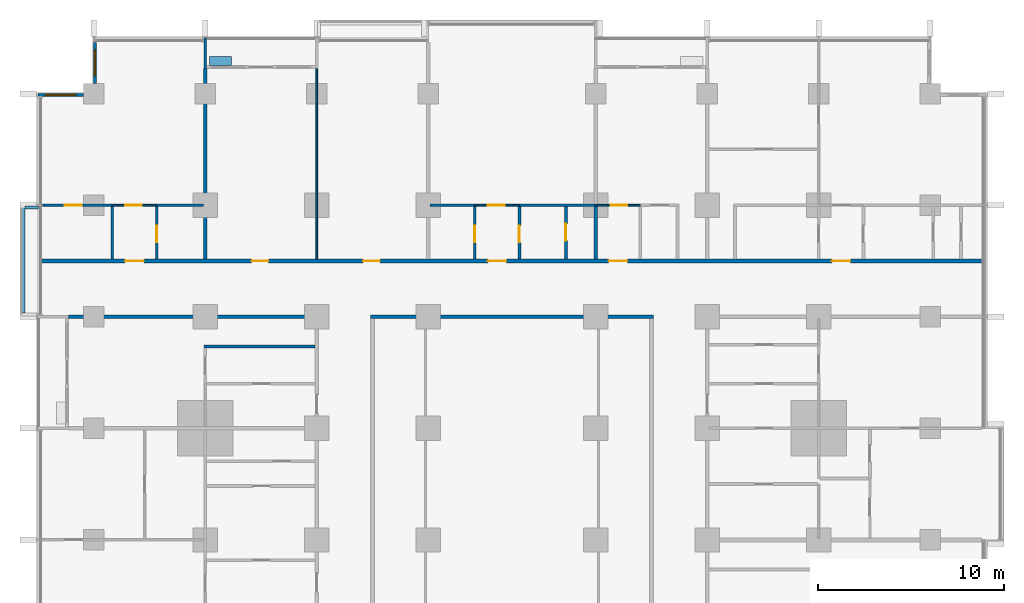
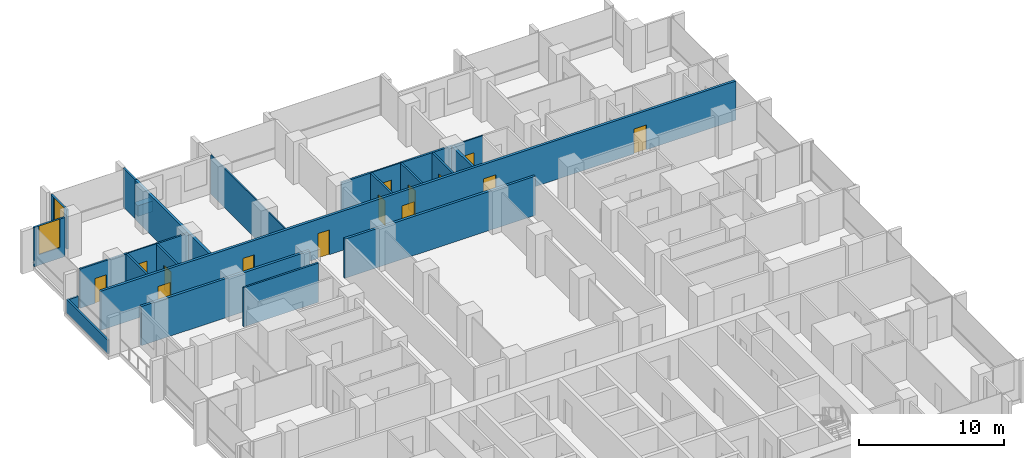
# One storey, part 11 of 18: 25 walls, 14 doors, 2 windows, 16 openings.
"""IFC4 building model written with IfcOpenShell, lengths in metres."""

from ifc_helpers import new_model, si_unit, direction, frame, frame_2d, origin, place, context, subcontext, project, spatial, rectangle, extrude, material, layer, layer_set, type_object, element, fill, save


model = new_model("IFC4")

# Units and contexts
model_context = context("Model", 3, precision=1e-05, world=origin(), true_north=direction((0.0, 1.0)))
body_context = subcontext(model_context, "Body", "Model", "MODEL_VIEW")
ifc_project = project(units=[si_unit("LENGTHUNIT", "METRE"), si_unit("AREAUNIT", "SQUARE_METRE"), si_unit("VOLUMEUNIT", "CUBIC_METRE"), si_unit("PLANEANGLEUNIT", "RADIAN"), si_unit("MASSUNIT", "GRAM", prefix="KILO")], contexts=[model_context])

# Site, building, storey
site_placement = place(None, origin())
site = spatial("IfcSite", under=ifc_project, at=site_placement, CompositionType="ELEMENT")
building_placement = place(site_placement, origin())
building = spatial("IfcBuilding", under=site, at=building_placement, Name="Finial Court Residences", CompositionType="ELEMENT")
storey_placement = place(building_placement, frame((0.0, 0.0, 39.699951171875)))
storey = spatial("IfcBuildingStorey", under=building, at=storey_placement, Name="L08", CompositionType="ELEMENT", Elevation=39.699951171875)

# Walls
ifc_material_1 = material(Name="Gypsum board")
ifc_layer_1 = layer(ifc_material_1, 0.02490234375)
ifc_material_2 = material(Name="Acoustic mineral wool in double frame")
ifc_layer_2 = layer(ifc_material_2, 0.14990234375)
ifc_layer_3 = layer(ifc_material_1, 0.02490234375)
ifc_layer_set_1 = layer_set([ifc_layer_1, ifc_layer_2, ifc_layer_3], Name="Acoustic party wall 200, 1 hour")
wall_type_1 = type_object("IfcWallType", Name="Acoustic party wall 200, 1 hour", PredefinedType="PARTITIONING", material=ifc_layer_set_1)
wall_1_placement = place(storey_placement, frame((4.5, 16.60009765625, 0.0), z_axis=(0.0, 0.0, 1.0), x_axis=(0.0, 1.0, 0.0)))
element("IfcWall", 1, at=wall_1_placement, inside=storey, type_object=wall_type_1, Name="Partition L08-069", PredefinedType="PARTITIONING", context=body_context, shape_type="SweptSolid", body=[
    extrude(rectangle(XDim=2.824951171875, YDim=0.199951171875, at=frame_2d((1.41259765625, 0.0))), origin(), (0.0, 0.0, 1.0), 3.300048828125),
])
ifc_layer_4 = layer(ifc_material_1, 0.02490234375)
ifc_layer_5 = layer(ifc_material_2, 0.14990234375)
ifc_layer_6 = layer(ifc_material_1, 0.02490234375)
ifc_layer_set_2 = layer_set([ifc_layer_4, ifc_layer_5, ifc_layer_6], Name="Corridor wall 200, 1 hour")
wall_type_2 = type_object("IfcWallType", Name="Corridor wall 200, 1 hour", PredefinedType="PARTITIONING", material=ifc_layer_set_2)
wall_2_placement = place(storey_placement, frame((-23.85009765625, 13.5, 0.0), z_axis=(0.0, 0.0, 1.0), x_axis=(1.0, 0.0, 0.0)))
element("IfcWall", 2, at=wall_2_placement, inside=storey, type_object=wall_type_2, Name="Partition L08-031", PredefinedType="PARTITIONING", context=body_context, shape_type="SweptSolid", body=[
    extrude(rectangle(XDim=13.4501953125, YDim=0.199951171875, at=frame_2d((6.72509765625, 0.0))), origin(), (0.0, 0.0, 1.0), 3.300048828125),
])
wall_3_placement = place(storey_placement, frame((-7.60009765625, 13.5, 0.0), z_axis=(0.0, 0.0, 1.0), x_axis=(1.0, 0.0, 0.0)))
element("IfcWall", 3, at=wall_3_placement, inside=storey, type_object=wall_type_2, Name="Partition L08-032", PredefinedType="PARTITIONING", context=body_context, shape_type="SweptSolid", body=[
    extrude(rectangle(XDim=15.2001953125, YDim=0.199951171875, at=frame_2d((7.60009765625, 0.0))), origin(), (0.0, 0.0, 1.0), 3.300048828125),
])

# Wall, openings, doors
wall_4_placement = place(storey_placement, frame((-25.35009765625, 16.5, 0.0), z_axis=(0.0, 0.0, 1.0), x_axis=(1.0, 0.0, 0.0)))
wall_4 = element("IfcWall", 4, at=wall_4_placement, inside=storey, type_object=wall_type_2, Name="Partition L08-034", PredefinedType="PARTITIONING", context=body_context, shape_type="SweptSolid", body=[
    extrude(rectangle(XDim=50.7001953125, YDim=0.199951171875, at=frame_2d((25.35009765625, 0.0))), origin(), (0.0, 0.0, 1.0), 3.300048828125),
])
opening_1_placement = place(wall_4_placement, frame((4.550048828125, 0.0, 0.0)))
opening_1 = element("IfcOpeningElement", 5, at=opening_1_placement, cuts=wall_4, Name="Opening L08-D022", PredefinedType="OPENING", context=body_context, shape_type="SweptSolid", body=[
    extrude(rectangle(XDim=1.0, YDim=2.10009765625, at=frame_2d((0.5, 1.050048828125))), frame((0.0, 0.10986328125, 0.0), z_axis=(0.0, -1.0, 0.0), x_axis=(1.0, 0.0, 0.0)), (0.0, 0.0, 1.0), 0.219970703125),
])
opening_2_placement = place(wall_4_placement, frame((11.35009765625, 0.0, 0.0)))
opening_2 = element("IfcOpeningElement", 6, at=opening_2_placement, cuts=wall_4, Name="Opening L08-D023", PredefinedType="OPENING", context=body_context, shape_type="SweptSolid", body=[
    extrude(rectangle(XDim=0.89990234375, YDim=2.10009765625, at=frame_2d((0.449951171875, 1.050048828125))), frame((0.0, 0.10986328125, 0.0), z_axis=(0.0, -1.0, 0.0), x_axis=(1.0, 0.0, 0.0)), (0.0, 0.0, 1.0), 0.219970703125),
])
opening_3_placement = place(wall_4_placement, frame((17.35009765625, 0.0, 0.0)))
opening_3 = element("IfcOpeningElement", 7, at=opening_3_placement, cuts=wall_4, Name="Opening L08-D024", PredefinedType="OPENING", context=body_context, shape_type="SweptSolid", body=[
    extrude(rectangle(XDim=0.89990234375, YDim=2.10009765625, at=frame_2d((0.449951171875, 1.050048828125))), frame((0.0, 0.10986328125, 0.0), z_axis=(0.0, -1.0, 0.0), x_axis=(1.0, 0.0, 0.0)), (0.0, 0.0, 1.0), 0.219970703125),
])
opening_4_placement = place(wall_4_placement, frame((24.050048828125, 0.0, 0.0)))
opening_4 = element("IfcOpeningElement", 8, at=opening_4_placement, cuts=wall_4, Name="Opening L08-D025", PredefinedType="OPENING", context=body_context, shape_type="SweptSolid", body=[
    extrude(rectangle(XDim=1.0, YDim=2.10009765625, at=frame_2d((0.5, 1.050048828125))), frame((0.0, 0.10986328125, 0.0), z_axis=(0.0, -1.0, 0.0), x_axis=(1.0, 0.0, 0.0)), (0.0, 0.0, 1.0), 0.219970703125),
])
opening_5_placement = place(wall_4_placement, frame((30.550048828125, 0.0, 0.0)))
opening_5 = element("IfcOpeningElement", 9, at=opening_5_placement, cuts=wall_4, Name="Opening L08-D026", PredefinedType="OPENING", context=body_context, shape_type="SweptSolid", body=[
    extrude(rectangle(XDim=1.0, YDim=2.10009765625, at=frame_2d((0.5, 1.050048828125))), frame((0.0, 0.10986328125, 0.0), z_axis=(0.0, -1.0, 0.0), x_axis=(1.0, 0.0, 0.0)), (0.0, 0.0, 1.0), 0.219970703125),
])
opening_6_placement = place(wall_4_placement, frame((42.550048828125, 0.0, 0.0)))
opening_6 = element("IfcOpeningElement", 10, at=opening_6_placement, cuts=wall_4, Name="Opening L08-D027", PredefinedType="OPENING", context=body_context, shape_type="SweptSolid", body=[
    extrude(rectangle(XDim=1.0, YDim=2.10009765625, at=frame_2d((0.5, 1.050048828125))), frame((0.0, 0.10986328125, 0.0), z_axis=(0.0, -1.0, 0.0), x_axis=(1.0, 0.0, 0.0)), (0.0, 0.0, 1.0), 0.219970703125),
])
ifc_material_3 = material(Name="Timber door leaf in hollow metal frame", Category="wood")
door_type_1 = type_object("IfcDoorType", Name="Fire door set 1000 x 2100, 30 minutes", OperationType="SINGLE_SWING_LEFT", PredefinedType="DOOR", material=ifc_material_3)
door_1_placement = place(opening_1_placement, origin())
door_1 = element("IfcDoor", 11, at=door_1_placement, inside=storey, type_object=door_type_1, Name="Door L08-D022", OperationType="SINGLE_SWING_RIGHT", OverallHeight=2.10009765625, OverallWidth=1.0, PredefinedType="DOOR", context=body_context, shape_type="SweptSolid", body=[
    extrude(rectangle(XDim=1.0, YDim=2.10009765625, at=frame_2d((0.5, 1.050048828125))), frame((0.0, 0.02490234375, 0.0), z_axis=(0.0, -1.0, 0.0), x_axis=(1.0, 0.0, 0.0)), (0.0, 0.0, 1.0), 0.050048828125),
])
fill(opening_1, door_1)
door_2_placement = place(opening_4_placement, origin())
door_2 = element("IfcDoor", 12, at=door_2_placement, inside=storey, type_object=door_type_1, Name="Door L08-D025", OperationType="SINGLE_SWING_RIGHT", OverallHeight=2.10009765625, OverallWidth=1.0, PredefinedType="DOOR", context=body_context, shape_type="SweptSolid", body=[
    extrude(rectangle(XDim=1.0, YDim=2.10009765625, at=frame_2d((0.5, 1.050048828125))), frame((0.0, 0.02490234375, 0.0), z_axis=(0.0, -1.0, 0.0), x_axis=(1.0, 0.0, 0.0)), (0.0, 0.0, 1.0), 0.050048828125),
])
fill(opening_4, door_2)
door_3_placement = place(opening_5_placement, origin())
door_3 = element("IfcDoor", 13, at=door_3_placement, inside=storey, type_object=door_type_1, Name="Door L08-D026", OperationType="SINGLE_SWING_LEFT", OverallHeight=2.10009765625, OverallWidth=1.0, PredefinedType="DOOR", context=body_context, shape_type="SweptSolid", body=[
    extrude(rectangle(XDim=1.0, YDim=2.10009765625, at=frame_2d((0.5, 1.050048828125))), frame((0.0, 0.02490234375, 0.0), z_axis=(0.0, -1.0, 0.0), x_axis=(1.0, 0.0, 0.0)), (0.0, 0.0, 1.0), 0.050048828125),
])
fill(opening_5, door_3)
door_4_placement = place(opening_6_placement, origin())
door_4 = element("IfcDoor", 14, at=door_4_placement, inside=storey, type_object=door_type_1, Name="Door L08-D027", OperationType="SINGLE_SWING_LEFT", OverallHeight=2.10009765625, OverallWidth=1.0, PredefinedType="DOOR", context=body_context, shape_type="SweptSolid", body=[
    extrude(rectangle(XDim=1.0, YDim=2.10009765625, at=frame_2d((0.5, 1.050048828125))), frame((0.0, 0.02490234375, 0.0), z_axis=(0.0, -1.0, 0.0), x_axis=(1.0, 0.0, 0.0)), (0.0, 0.0, 1.0), 0.050048828125),
])
fill(opening_6, door_4)
door_type_2 = type_object("IfcDoorType", Name="Fire door set 900 x 2100, 30 minutes", OperationType="SINGLE_SWING_LEFT", PredefinedType="DOOR", material=ifc_material_3)
door_5_placement = place(opening_2_placement, origin())
door_5 = element("IfcDoor", 15, at=door_5_placement, inside=storey, type_object=door_type_2, Name="Door L08-D023", OperationType="SINGLE_SWING_RIGHT", OverallHeight=2.10009765625, OverallWidth=0.89990234375, PredefinedType="DOOR", context=body_context, shape_type="SweptSolid", body=[
    extrude(rectangle(XDim=0.89990234375, YDim=2.10009765625, at=frame_2d((0.449951171875, 1.050048828125))), frame((0.0, 0.02490234375, 0.0), z_axis=(0.0, -1.0, 0.0), x_axis=(1.0, 0.0, 0.0)), (0.0, 0.0, 1.0), 0.050048828125),
])
fill(opening_2, door_5)
door_6_placement = place(opening_3_placement, origin())
door_6 = element("IfcDoor", 16, at=door_6_placement, inside=storey, type_object=door_type_2, Name="Door L08-D024", OperationType="SINGLE_SWING_RIGHT", OverallHeight=2.10009765625, OverallWidth=0.89990234375, PredefinedType="DOOR", context=body_context, shape_type="SweptSolid", body=[
    extrude(rectangle(XDim=0.89990234375, YDim=2.10009765625, at=frame_2d((0.449951171875, 1.050048828125))), frame((0.0, 0.02490234375, 0.0), z_axis=(0.0, -1.0, 0.0), x_axis=(1.0, 0.0, 0.0)), (0.0, 0.0, 1.0), 0.050048828125),
])
fill(opening_3, door_6)

# Wall
wall_5_placement = place(storey_placement, frame((-16.5, 16.60009765625, 0.0), z_axis=(0.0, 0.0, 1.0), x_axis=(0.0, 1.0, 0.0)))
element("IfcWall", 17, at=wall_5_placement, inside=storey, type_object=wall_type_2, Name="Partition L08-051", PredefinedType="PARTITIONING", context=body_context, shape_type="SweptSolid", body=[
    extrude(rectangle(XDim=10.25, YDim=0.199951171875, at=frame_2d((5.125, 0.0))), origin(), (0.0, 0.0, 1.0), 3.300048828125),
])

# Wall, opening, door
ifc_layer_7 = layer(ifc_material_1, 0.012451171875)
ifc_material_4 = material(Name="Mineral wool in light-gauge frame")
ifc_layer_8 = layer(ifc_material_4, 0.074951171875)
ifc_layer_9 = layer(ifc_material_1, 0.012451171875)
ifc_layer_set_3 = layer_set([ifc_layer_7, ifc_layer_8, ifc_layer_9], Name="Gypsum board partition 100")
wall_type_3 = type_object("IfcWallType", Name="Gypsum board partition 100", PredefinedType="PARTITIONING", material=ifc_layer_set_3)
wall_6_placement = place(storey_placement, frame((-21.5, 19.5, 0.0), z_axis=(0.0, 0.0, 1.0), x_axis=(1.0, 0.0, 0.0)))
wall_6 = element("IfcWall", 18, at=wall_6_placement, inside=storey, type_object=wall_type_3, Name="Partition L08-035", PredefinedType="PARTITIONING", context=body_context, shape_type="SweptSolid", body=[
    extrude(rectangle(XDim=2.39990234375, YDim=0.10009765625, at=frame_2d((1.199951171875, 0.0))), origin(), (0.0, 0.0, 1.0), 3.300048828125),
])
opening_7_placement = place(wall_6_placement, frame((0.699951171875, 0.0, 0.0)))
opening_7 = element("IfcOpeningElement", 19, at=opening_7_placement, cuts=wall_6, Name="Opening L08-D028", PredefinedType="OPENING", context=body_context, shape_type="SweptSolid", body=[
    extrude(rectangle(XDim=0.89990234375, YDim=2.10009765625, at=frame_2d((0.449951171875, 1.050048828125))), frame((0.0, 0.06005859375, 0.0), z_axis=(0.0, -1.0, 0.0), x_axis=(1.0, 0.0, 0.0)), (0.0, 0.0, 1.0), 0.1201171875),
])
ifc_material_5 = material(Name="Timber door leaf in timber frame", Category="wood")
door_type_3 = type_object("IfcDoorType", Name="Door set 900 x 2100", OperationType="SINGLE_SWING_LEFT", PredefinedType="DOOR", material=ifc_material_5)
door_7_placement = place(opening_7_placement, origin())
door_7 = element("IfcDoor", 20, at=door_7_placement, inside=storey, type_object=door_type_3, Name="Door L08-D028", OperationType="SINGLE_SWING_LEFT", OverallHeight=2.10009765625, OverallWidth=0.89990234375, PredefinedType="DOOR", context=body_context, shape_type="SweptSolid", body=[
    extrude(rectangle(XDim=0.89990234375, YDim=2.10009765625, at=frame_2d((0.449951171875, 1.050048828125))), frame((0.0, 0.02490234375, 0.0), z_axis=(0.0, -1.0, 0.0), x_axis=(1.0, 0.0, 0.0)), (0.0, 0.0, 1.0), 0.050048828125),
])
fill(opening_7, door_7)

wall_7_placement = place(storey_placement, frame((-2.0, 19.5, 0.0), z_axis=(0.0, 0.0, 1.0), x_axis=(1.0, 0.0, 0.0)))
wall_7 = element("IfcWall", 21, at=wall_7_placement, inside=storey, type_object=wall_type_3, Name="Partition L08-036", PredefinedType="PARTITIONING", context=body_context, shape_type="SweptSolid", body=[
    extrude(rectangle(XDim=2.39990234375, YDim=0.10009765625, at=frame_2d((1.199951171875, 0.0))), origin(), (0.0, 0.0, 1.0), 3.300048828125),
])
opening_8_placement = place(wall_7_placement, frame((0.699951171875, 0.0, 0.0)))
opening_8 = element("IfcOpeningElement", 22, at=opening_8_placement, cuts=wall_7, Name="Opening L08-D029", PredefinedType="OPENING", context=body_context, shape_type="SweptSolid", body=[
    extrude(rectangle(XDim=0.89990234375, YDim=2.10009765625, at=frame_2d((0.449951171875, 1.050048828125))), frame((0.0, 0.06005859375, 0.0), z_axis=(0.0, -1.0, 0.0), x_axis=(1.0, 0.0, 0.0)), (0.0, 0.0, 1.0), 0.1201171875),
])
door_8_placement = place(opening_8_placement, origin())
door_8 = element("IfcDoor", 23, at=door_8_placement, inside=storey, type_object=door_type_3, Name="Door L08-D029", OperationType="SINGLE_SWING_LEFT", OverallHeight=2.10009765625, OverallWidth=0.89990234375, PredefinedType="DOOR", context=body_context, shape_type="SweptSolid", body=[
    extrude(rectangle(XDim=0.89990234375, YDim=2.10009765625, at=frame_2d((0.449951171875, 1.050048828125))), frame((0.0, 0.02490234375, 0.0), z_axis=(0.0, -1.0, 0.0), x_axis=(1.0, 0.0, 0.0)), (0.0, 0.0, 1.0), 0.050048828125),
])
fill(opening_8, door_8)

wall_8_placement = place(storey_placement, frame((4.5, 19.5, 0.0), z_axis=(0.0, 0.0, 1.0), x_axis=(1.0, 0.0, 0.0)))
wall_8 = element("IfcWall", 24, at=wall_8_placement, inside=storey, type_object=wall_type_3, Name="Partition L08-037", PredefinedType="PARTITIONING", context=body_context, shape_type="SweptSolid", body=[
    extrude(rectangle(XDim=2.39990234375, YDim=0.10009765625, at=frame_2d((1.199951171875, 0.0))), origin(), (0.0, 0.0, 1.0), 3.300048828125),
])
opening_9_placement = place(wall_8_placement, frame((0.800048828125, 0.0, 0.0)))
opening_9 = element("IfcOpeningElement", 25, at=opening_9_placement, cuts=wall_8, Name="Opening L08-D030", PredefinedType="OPENING", context=body_context, shape_type="SweptSolid", body=[
    extrude(rectangle(XDim=0.89990234375, YDim=2.10009765625, at=frame_2d((0.449951171875, 1.050048828125))), frame((0.0, 0.06005859375, 0.0), z_axis=(0.0, -1.0, 0.0), x_axis=(1.0, 0.0, 0.0)), (0.0, 0.0, 1.0), 0.1201171875),
])
door_9_placement = place(opening_9_placement, origin())
door_9 = element("IfcDoor", 26, at=door_9_placement, inside=storey, type_object=door_type_3, Name="Door L08-D030", OperationType="SINGLE_SWING_RIGHT", OverallHeight=2.10009765625, OverallWidth=0.89990234375, PredefinedType="DOOR", context=body_context, shape_type="SweptSolid", body=[
    extrude(rectangle(XDim=0.89990234375, YDim=2.10009765625, at=frame_2d((0.449951171875, 1.050048828125))), frame((0.0, 0.02490234375, 0.0), z_axis=(0.0, -1.0, 0.0), x_axis=(1.0, 0.0, 0.0)), (0.0, 0.0, 1.0), 0.050048828125),
])
fill(opening_9, door_9)

# Walls
wall_9_placement = place(storey_placement, frame((-10.5, 16.60009765625, 0.0), z_axis=(0.0, 0.0, 1.0), x_axis=(0.0, 1.0, 0.0)))
element("IfcWall", 27, at=wall_9_placement, inside=storey, type_object=wall_type_3, Name="Partition L08-062", PredefinedType="PARTITIONING", context=body_context, shape_type="SweptSolid", body=[
    extrude(rectangle(XDim=10.25, YDim=0.10009765625, at=frame_2d((5.125, 0.0))), origin(), (0.0, 0.0, 1.0), 3.300048828125),
])
ifc_material_6 = material(Name="Moisture-resistant gypsum board")
ifc_layer_10 = layer(ifc_material_6, 0.012451171875)
ifc_layer_11 = layer(ifc_material_4, 0.125)
ifc_layer_12 = layer(ifc_material_6, 0.012451171875)
ifc_layer_set_4 = layer_set([ifc_layer_10, ifc_layer_11, ifc_layer_12], Name="Gypsum board wet-area partition 150")
wall_type_4 = type_object("IfcWallType", Name="Gypsum board wet-area partition 150", PredefinedType="PARTITIONING", material=ifc_layer_set_4)
wall_10_placement = place(storey_placement, frame((-16.574951171875, 11.89990234375, 0.0), z_axis=(0.0, 0.0, 1.0), x_axis=(1.0, 0.0, 0.0)))
element("IfcWall", 28, at=wall_10_placement, inside=storey, type_object=wall_type_4, Name="Partition L08-029", PredefinedType="PARTITIONING", context=body_context, shape_type="SweptSolid", body=[
    extrude(rectangle(XDim=5.974853515625, YDim=0.14990234375, at=frame_2d((2.9873046875, 0.0))), origin(), (0.0, 0.0, 1.0), 3.300048828125),
])

# Wall, opening, door
wall_11_placement = place(storey_placement, frame((-25.25, 19.5, 0.0), z_axis=(0.0, 0.0, 1.0), x_axis=(1.0, 0.0, 0.0)))
wall_11 = element("IfcWall", 29, at=wall_11_placement, inside=storey, type_object=wall_type_4, Name="Partition L08-039", PredefinedType="PARTITIONING", context=body_context, shape_type="SweptSolid", body=[
    extrude(rectangle(XDim=3.75, YDim=0.14990234375, at=frame_2d((1.875, 0.0))), origin(), (0.0, 0.0, 1.0), 3.300048828125),
])
opening_10_placement = place(wall_11_placement, frame((1.199951171875, 0.0, 0.0)))
opening_10 = element("IfcOpeningElement", 30, at=opening_10_placement, cuts=wall_11, Name="Opening L08-D032", PredefinedType="OPENING", context=body_context, shape_type="SweptSolid", body=[
    extrude(rectangle(XDim=0.89990234375, YDim=2.10009765625, at=frame_2d((0.449951171875, 1.050048828125))), frame((0.0, 0.0849609375, 0.0), z_axis=(0.0, -1.0, 0.0), x_axis=(1.0, 0.0, 0.0)), (0.0, 0.0, 1.0), 0.169921875),
])
door_10_placement = place(opening_10_placement, origin())
door_10 = element("IfcDoor", 31, at=door_10_placement, inside=storey, type_object=door_type_3, Name="Door L08-D032", OperationType="SINGLE_SWING_LEFT", OverallHeight=2.10009765625, OverallWidth=0.89990234375, PredefinedType="DOOR", context=body_context, shape_type="SweptSolid", body=[
    extrude(rectangle(XDim=0.89990234375, YDim=2.10009765625, at=frame_2d((0.449951171875, 1.050048828125))), frame((0.0, 0.02490234375, 0.0), z_axis=(0.0, -1.0, 0.0), x_axis=(1.0, 0.0, 0.0)), (0.0, 0.0, 1.0), 0.050048828125),
])
fill(opening_10, door_10)

# Walls
wall_12_placement = place(storey_placement, frame((-19.10009765625, 19.5, 0.0), z_axis=(0.0, 0.0, 1.0), x_axis=(1.0, 0.0, 0.0)))
element("IfcWall", 32, at=wall_12_placement, inside=storey, type_object=wall_type_4, Name="Partition L08-040", PredefinedType="PARTITIONING", context=body_context, shape_type="SweptSolid", body=[
    extrude(rectangle(XDim=2.5, YDim=0.14990234375, at=frame_2d((1.25, 0.0))), origin(), (0.0, 0.0, 1.0), 3.300048828125),
])
wall_13_placement = place(storey_placement, frame((-4.39990234375, 19.5, 0.0), z_axis=(0.0, 0.0, 1.0), x_axis=(1.0, 0.0, 0.0)))
element("IfcWall", 33, at=wall_13_placement, inside=storey, type_object=wall_type_4, Name="Partition L08-041", PredefinedType="PARTITIONING", context=body_context, shape_type="SweptSolid", body=[
    extrude(rectangle(XDim=2.39990234375, YDim=0.14990234375, at=frame_2d((1.199951171875, 0.0))), origin(), (0.0, 0.0, 1.0), 3.300048828125),
])
wall_14_placement = place(storey_placement, frame((0.39990234375, 19.5, 0.0), z_axis=(0.0, 0.0, 1.0), x_axis=(1.0, 0.0, 0.0)))
element("IfcWall", 34, at=wall_14_placement, inside=storey, type_object=wall_type_4, Name="Partition L08-042", PredefinedType="PARTITIONING", context=body_context, shape_type="SweptSolid", body=[
    extrude(rectangle(XDim=4.10009765625, YDim=0.14990234375, at=frame_2d((2.050048828125, 0.0))), origin(), (0.0, 0.0, 1.0), 3.300048828125),
])
wall_15_placement = place(storey_placement, frame((-21.5, 16.60009765625, 0.0), z_axis=(0.0, 0.0, 1.0), x_axis=(0.0, 1.0, 0.0)))
element("IfcWall", 35, at=wall_15_placement, inside=storey, type_object=wall_type_4, Name="Partition L08-047", PredefinedType="PARTITIONING", context=body_context, shape_type="SweptSolid", body=[
    extrude(rectangle(XDim=2.824951171875, YDim=0.14990234375, at=frame_2d((1.41259765625, 0.0))), origin(), (0.0, 0.0, 1.0), 3.300048828125),
])

# Wall, opening, door
wall_16_placement = place(storey_placement, frame((-19.10009765625, 16.60009765625, 0.0), z_axis=(0.0, 0.0, 1.0), x_axis=(0.0, 1.0, 0.0)))
wall_16 = element("IfcWall", 36, at=wall_16_placement, inside=storey, type_object=wall_type_4, Name="Partition L08-049", PredefinedType="PARTITIONING", context=body_context, shape_type="SweptSolid", body=[
    extrude(rectangle(XDim=2.824951171875, YDim=0.14990234375, at=frame_2d((1.41259765625, 0.0))), origin(), (0.0, 0.0, 1.0), 3.300048828125),
])
opening_11_placement = place(wall_16_placement, frame((0.89990234375, 0.0, 0.0)))
opening_11 = element("IfcOpeningElement", 37, at=opening_11_placement, cuts=wall_16, Name="Opening L08-D036", PredefinedType="OPENING", context=body_context, shape_type="SweptSolid", body=[
    extrude(rectangle(XDim=0.89990234375, YDim=2.10009765625, at=frame_2d((0.449951171875, 1.050048828125))), frame((0.0, 0.0849609375, 0.0), z_axis=(0.0, -1.0, 0.0), x_axis=(1.0, 0.0, 0.0)), (0.0, 0.0, 1.0), 0.169921875),
])
door_11_placement = place(opening_11_placement, origin())
door_11 = element("IfcDoor", 38, at=door_11_placement, inside=storey, type_object=door_type_3, Name="Door L08-D036", OperationType="SINGLE_SWING_LEFT", OverallHeight=2.10009765625, OverallWidth=0.89990234375, PredefinedType="DOOR", context=body_context, shape_type="SweptSolid", body=[
    extrude(rectangle(XDim=0.89990234375, YDim=2.10009765625, at=frame_2d((0.449951171875, 1.050048828125))), frame((0.0, 0.02490234375, 0.0), z_axis=(0.0, -1.0, 0.0), x_axis=(1.0, 0.0, 0.0)), (0.0, 0.0, 1.0), 0.050048828125),
])
fill(opening_11, door_11)

wall_17_placement = place(storey_placement, frame((-2.0, 16.60009765625, 0.0), z_axis=(0.0, 0.0, 1.0), x_axis=(0.0, 1.0, 0.0)))
wall_17 = element("IfcWall", 39, at=wall_17_placement, inside=storey, type_object=wall_type_4, Name="Partition L08-066", PredefinedType="PARTITIONING", context=body_context, shape_type="SweptSolid", body=[
    extrude(rectangle(XDim=2.824951171875, YDim=0.14990234375, at=frame_2d((1.41259765625, 0.0))), origin(), (0.0, 0.0, 1.0), 3.300048828125),
])
opening_12_placement = place(wall_17_placement, frame((0.89990234375, 0.0, 0.0)))
opening_12 = element("IfcOpeningElement", 40, at=opening_12_placement, cuts=wall_17, Name="Opening L08-D044", PredefinedType="OPENING", context=body_context, shape_type="SweptSolid", body=[
    extrude(rectangle(XDim=0.89990234375, YDim=2.10009765625, at=frame_2d((0.449951171875, 1.050048828125))), frame((0.0, 0.0849609375, 0.0), z_axis=(0.0, -1.0, 0.0), x_axis=(1.0, 0.0, 0.0)), (0.0, 0.0, 1.0), 0.169921875),
])
door_12_placement = place(opening_12_placement, origin())
door_12 = element("IfcDoor", 41, at=door_12_placement, inside=storey, type_object=door_type_3, Name="Door L08-D044", OperationType="SINGLE_SWING_LEFT", OverallHeight=2.10009765625, OverallWidth=0.89990234375, PredefinedType="DOOR", context=body_context, shape_type="SweptSolid", body=[
    extrude(rectangle(XDim=0.89990234375, YDim=2.10009765625, at=frame_2d((0.449951171875, 1.050048828125))), frame((0.0, 0.02490234375, 0.0), z_axis=(0.0, -1.0, 0.0), x_axis=(1.0, 0.0, 0.0)), (0.0, 0.0, 1.0), 0.050048828125),
])
fill(opening_12, door_12)

wall_18_placement = place(storey_placement, frame((0.39990234375, 16.60009765625, 0.0), z_axis=(0.0, 0.0, 1.0), x_axis=(0.0, 1.0, 0.0)))
wall_18 = element("IfcWall", 42, at=wall_18_placement, inside=storey, type_object=wall_type_4, Name="Partition L08-067", PredefinedType="PARTITIONING", context=body_context, shape_type="SweptSolid", body=[
    extrude(rectangle(XDim=2.824951171875, YDim=0.14990234375, at=frame_2d((1.41259765625, 0.0))), origin(), (0.0, 0.0, 1.0), 3.300048828125),
])
opening_13_placement = place(wall_18_placement, frame((0.89990234375, 0.0, 0.0)))
opening_13 = element("IfcOpeningElement", 43, at=opening_13_placement, cuts=wall_18, Name="Opening L08-D045", PredefinedType="OPENING", context=body_context, shape_type="SweptSolid", body=[
    extrude(rectangle(XDim=0.89990234375, YDim=2.10009765625, at=frame_2d((0.449951171875, 1.050048828125))), frame((0.0, 0.0849609375, 0.0), z_axis=(0.0, -1.0, 0.0), x_axis=(1.0, 0.0, 0.0)), (0.0, 0.0, 1.0), 0.169921875),
])
door_13_placement = place(opening_13_placement, origin())
door_13 = element("IfcDoor", 44, at=door_13_placement, inside=storey, type_object=door_type_3, Name="Door L08-D045", OperationType="SINGLE_SWING_LEFT", OverallHeight=2.10009765625, OverallWidth=0.89990234375, PredefinedType="DOOR", context=body_context, shape_type="SweptSolid", body=[
    extrude(rectangle(XDim=0.89990234375, YDim=2.10009765625, at=frame_2d((0.449951171875, 1.050048828125))), frame((0.0, 0.02490234375, 0.0), z_axis=(0.0, -1.0, 0.0), x_axis=(1.0, 0.0, 0.0)), (0.0, 0.0, 1.0), 0.050048828125),
])
fill(opening_13, door_13)

wall_19_placement = place(storey_placement, frame((2.89990234375, 16.60009765625, 0.0), z_axis=(0.0, 0.0, 1.0), x_axis=(0.0, 1.0, 0.0)))
wall_19 = element("IfcWall", 45, at=wall_19_placement, inside=storey, type_object=wall_type_4, Name="Partition L08-068", PredefinedType="PARTITIONING", context=body_context, shape_type="SweptSolid", body=[
    extrude(rectangle(XDim=2.824951171875, YDim=0.14990234375, at=frame_2d((1.41259765625, 0.0))), origin(), (0.0, 0.0, 1.0), 3.300048828125),
])
opening_14_placement = place(wall_19_placement, frame((1.0, 0.0, 0.0)))
opening_14 = element("IfcOpeningElement", 46, at=opening_14_placement, cuts=wall_19, Name="Opening L08-D046", PredefinedType="OPENING", context=body_context, shape_type="SweptSolid", body=[
    extrude(rectangle(XDim=0.89990234375, YDim=2.10009765625, at=frame_2d((0.449951171875, 1.050048828125))), frame((0.0, 0.0849609375, 0.0), z_axis=(0.0, -1.0, 0.0), x_axis=(1.0, 0.0, 0.0)), (0.0, 0.0, 1.0), 0.169921875),
])
door_14_placement = place(opening_14_placement, origin())
door_14 = element("IfcDoor", 47, at=door_14_placement, inside=storey, type_object=door_type_3, Name="Door L08-D046", OperationType="SINGLE_SWING_RIGHT", OverallHeight=2.10009765625, OverallWidth=0.89990234375, PredefinedType="DOOR", context=body_context, shape_type="SweptSolid", body=[
    extrude(rectangle(XDim=0.89990234375, YDim=2.10009765625, at=frame_2d((0.449951171875, 1.050048828125))), frame((0.0, 0.02490234375, 0.0), z_axis=(0.0, -1.0, 0.0), x_axis=(1.0, 0.0, 0.0)), (0.0, 0.0, 1.0), 0.050048828125),
])
fill(opening_14, door_14)

# Walls
ifc_material_7 = material(Name="Concrete C35/45", Category="concrete")
ifc_layer_13 = layer(ifc_material_7, 0.14990234375)
ifc_layer_set_5 = layer_set([ifc_layer_13], Name="Ledge parapet, Concrete C35/45 150")
wall_type_5 = type_object("IfcWallType", Name="Ledge parapet, Concrete C35/45 150", PredefinedType="PARAPET", material=ifc_layer_set_5)
wall_20_placement = place(storey_placement, frame((-26.27490234375, 13.699951171875, 0.0), z_axis=(0.0, 0.0, 1.0), x_axis=(0.0, 1.0, 0.0)))
element("IfcWall", 48, at=wall_20_placement, inside=storey, type_object=wall_type_5, Name="E-L08-LED1-P2", PredefinedType="PARAPET", context=body_context, shape_type="SweptSolid", body=[
    extrude(rectangle(XDim=5.75, YDim=0.14990234375, at=frame_2d((2.875, 0.0))), origin(), (0.0, 0.0, 1.0), 1.150146484375),
])
wall_21_placement = place(storey_placement, frame((-26.199951171875, 19.375, 0.0), z_axis=(0.0, 0.0, 1.0), x_axis=(1.0, 0.0, 0.0)))
element("IfcWall", 49, at=wall_21_placement, inside=storey, type_object=wall_type_5, Name="E-L08-LED1-P3", PredefinedType="PARAPET", context=body_context, shape_type="SweptSolid", body=[
    extrude(rectangle(XDim=0.739990234375, YDim=0.14990234375, at=frame_2d((0.3701171875, 0.0))), origin(), (0.0, 0.0, 1.0), 1.150146484375),
])

# Wall, opening, window
ifc_material_8 = material(Name="Natural limestone", Category="masonry")
ifc_layer_14 = layer(ifc_material_8, 0.14990234375)
ifc_layer_set_6 = layer_set([ifc_layer_14], Name="Limestone clad wall 150")
wall_type_6 = type_object("IfcWallType", Name="Limestone clad wall 150", PredefinedType="SOLIDWALL", material=ifc_layer_set_6)
wall_22_placement = place(storey_placement, frame((-22.425048828125, 26.050048828125, 0.0), z_axis=(0.0, 0.0, 1.0), x_axis=(0.0, 1.0, 0.0)))
wall_22 = element("IfcWall", 50, at=wall_22_placement, inside=storey, type_object=wall_type_6, Name="E-L08-NWW18", PredefinedType="SOLIDWALL", context=body_context, shape_type="SweptSolid", body=[
    extrude(rectangle(XDim=2.199951171875, YDim=0.14990234375, at=frame_2d((1.10009765625, 0.0))), origin(), (0.0, 0.0, 1.0), 3.300048828125),
])
opening_15_placement = place(wall_22_placement, frame((0.39990234375, 0.0, 0.89990234375)))
opening_15 = element("IfcOpeningElement", 51, at=opening_15_placement, cuts=wall_22, Name="Opening WE08-05", PredefinedType="OPENING", context=body_context, shape_type="SweptSolid", body=[
    extrude(rectangle(XDim=1.39990234375, YDim=2.39990234375, at=frame_2d((0.699951171875, 1.199951171875))), frame((0.0, 0.0849609375, 0.0), z_axis=(0.0, -1.0, 0.0), x_axis=(1.0, 0.0, 0.0)), (0.0, 0.0, 1.0), 0.169921875),
])
ifc_material_9 = material(Name="Clear low-e glass", Category="glass")
window_type_1 = type_object("IfcWindowType", Name="Corner window 1400 x 2400", PartitioningType="SINGLE_PANEL", PredefinedType="WINDOW", material=ifc_material_9)
window_1_placement = place(opening_15_placement, origin())
window_1 = element("IfcWindow", 52, at=window_1_placement, inside=storey, type_object=window_type_1, Name="E-L08-NWW18-W1", OverallHeight=2.39990234375, OverallWidth=1.39990234375, PartitioningType="SINGLE_PANEL", PredefinedType="WINDOW", context=body_context, shape_type="SweptSolid", body=[
    extrude(rectangle(XDim=1.39990234375, YDim=2.39990234375, at=frame_2d((0.699951171875, 1.199951171875))), frame((0.0, 0.030029296875, 0.0), z_axis=(0.0, -1.0, 0.0), x_axis=(1.0, 0.0, 0.0)), (0.0, 0.0, 1.0), 0.06005859375),
])
fill(opening_15, window_1)

wall_23_placement = place(storey_placement, frame((-25.5, 25.425048828125, 0.0), z_axis=(0.0, 0.0, 1.0), x_axis=(1.0, 0.0, 0.0)))
wall_23 = element("IfcWall", 53, at=wall_23_placement, inside=storey, type_object=wall_type_6, Name="E-L08-NWN19", PredefinedType="SOLIDWALL", context=body_context, shape_type="SweptSolid", body=[
    extrude(rectangle(XDim=2.449951171875, YDim=0.14990234375, at=frame_2d((1.22509765625, 0.0))), origin(), (0.0, 0.0, 1.0), 3.300048828125),
])
opening_16_placement = place(wall_23_placement, frame((0.39990234375, 0.0, 0.89990234375)))
opening_16 = element("IfcOpeningElement", 54, at=opening_16_placement, cuts=wall_23, Name="Opening WE08-06", PredefinedType="OPENING", context=body_context, shape_type="SweptSolid", body=[
    extrude(rectangle(XDim=1.64990234375, YDim=2.39990234375, at=frame_2d((0.824951171875, 1.199951171875))), frame((0.0, 0.0849609375, 0.0), z_axis=(0.0, -1.0, 0.0), x_axis=(1.0, 0.0, 0.0)), (0.0, 0.0, 1.0), 0.169921875),
])
window_type_2 = type_object("IfcWindowType", Name="Corner window 1650 x 2400", PartitioningType="SINGLE_PANEL", PredefinedType="WINDOW", material=ifc_material_9)
window_2_placement = place(opening_16_placement, origin())
window_2 = element("IfcWindow", 55, at=window_2_placement, inside=storey, type_object=window_type_2, Name="E-L08-NWN19-W1", OverallHeight=2.39990234375, OverallWidth=1.64990234375, PartitioningType="SINGLE_PANEL", PredefinedType="WINDOW", context=body_context, shape_type="SweptSolid", body=[
    extrude(rectangle(XDim=1.64990234375, YDim=2.39990234375, at=frame_2d((0.824951171875, 1.199951171875))), frame((0.0, 0.030029296875, 0.0), z_axis=(0.0, -1.0, 0.0), x_axis=(1.0, 0.0, 0.0)), (0.0, 0.0, 1.0), 0.06005859375),
])
fill(opening_16, window_2)

# Walls
wall_24_placement = place(storey_placement, frame((-16.5, 26.85009765625, 0.0), z_axis=(0.0, 0.0, 1.0), x_axis=(0.0, 1.0, 0.0)))
element("IfcWall", 56, at=wall_24_placement, inside=storey, type_object=wall_type_6, Name="E-L08-BALN2-P1", PredefinedType="SOLIDWALL", context=body_context, shape_type="SweptSolid", body=[
    extrude(rectangle(XDim=1.64990234375, YDim=0.14990234375, at=frame_2d((0.824951171875, 0.0))), origin(), (0.0, 0.0, 1.0), 3.300048828125),
])
ifc_material_10 = material(Name="Concrete C40/50", Category="concrete")
ifc_layer_15 = layer(ifc_material_10, 0.10009765625)
ifc_material_11 = material(Name="Planting soil", Category="soil")
ifc_layer_16 = layer(ifc_material_11, 0.300048828125)
ifc_layer_17 = layer(ifc_material_10, 0.10009765625)
ifc_layer_set_7 = layer_set([ifc_layer_15, ifc_layer_16, ifc_layer_17], Name="Planter wall, balcony")
wall_type_7 = type_object("IfcWallType", Name="Planter wall, balcony", PredefinedType="USERDEFINED", material=ifc_layer_set_7)
wall_25_placement = place(storey_placement, frame((-16.27490234375, 27.25, 0.0), z_axis=(0.0, 0.0, 1.0), x_axis=(1.0, 0.0, 0.0)))
element("IfcWall", 57, at=wall_25_placement, inside=storey, type_object=wall_type_7, Name="E-L08-BALN2-PL", ObjectType="PLANTER", PredefinedType="USERDEFINED", context=body_context, shape_type="SweptSolid", body=[
    extrude(rectangle(XDim=1.199951171875, YDim=0.5, at=frame_2d((0.60009765625, 0.0))), origin(), (0.0, 0.0, 1.0), 0.900146484375),
])

save(model, "model.ifc")
